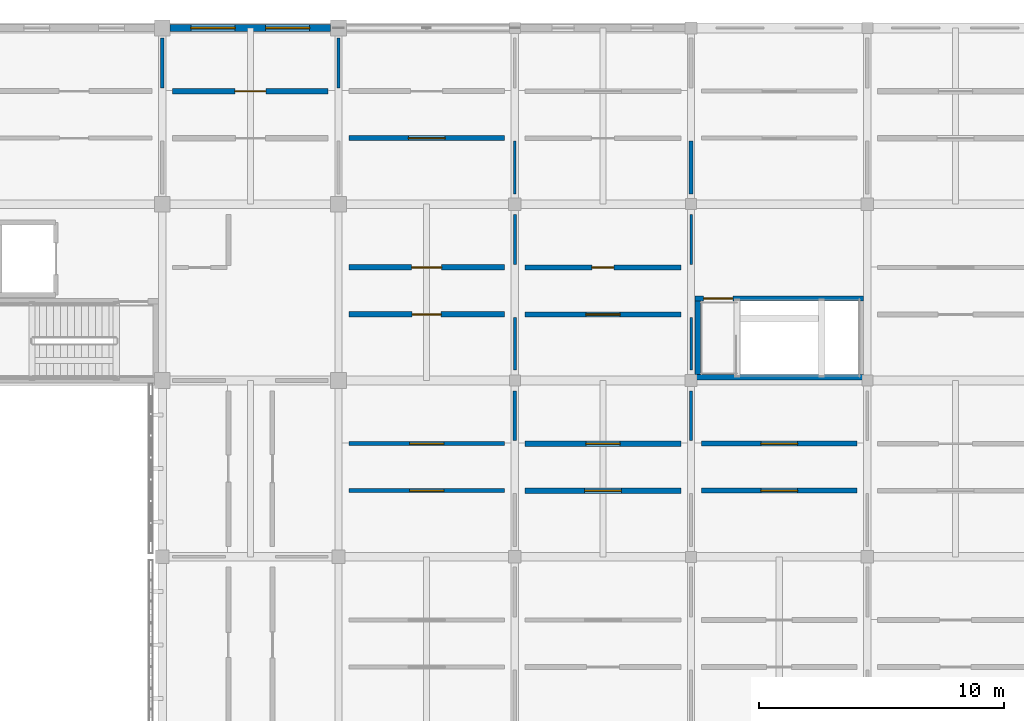
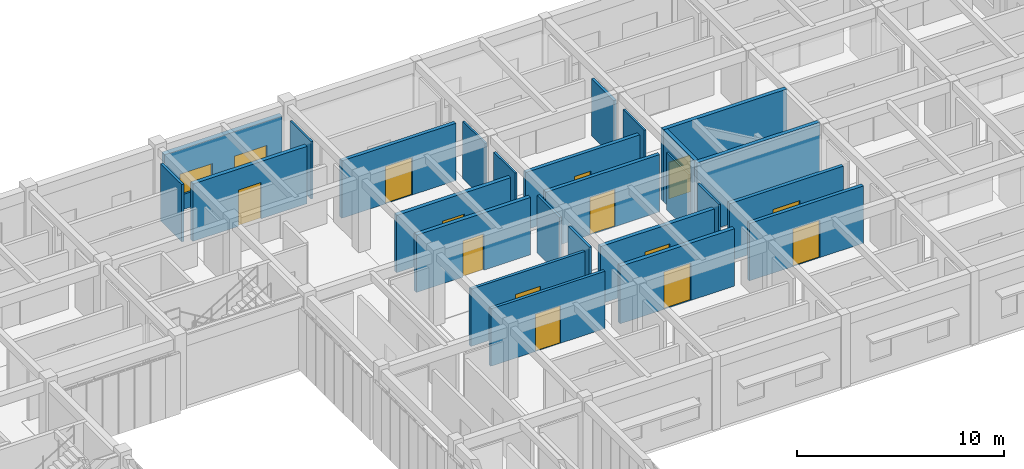
# One storey, part 75 of 91: 26 walls, 13 doors, 2 windows, 15 openings.
"""IFC4 building model written with IfcOpenShell, lengths in metres."""

from ifc_helpers import new_model, si_unit, direction, frame, frame_2d, origin, place, context, subcontext, project, spatial, rectangle, extrude, material, layer, layer_set, type_object, element, fill, save


model = new_model("IFC4")

# Units and contexts
model_context = context("Model", 3, precision=1e-05, world=origin(), true_north=direction((0.0, 1.0)))
body_context = subcontext(model_context, "Body", "Model", "MODEL_VIEW")
ifc_project = project(units=[si_unit("LENGTHUNIT", "METRE"), si_unit("AREAUNIT", "SQUARE_METRE"), si_unit("VOLUMEUNIT", "CUBIC_METRE"), si_unit("PLANEANGLEUNIT", "RADIAN"), si_unit("MASSUNIT", "GRAM", prefix="KILO")], contexts=[model_context])

# Site, building, storey
site_placement = place(None, origin())
site = spatial("IfcSite", under=ifc_project, at=site_placement, CompositionType="ELEMENT")
building_placement = place(site_placement, origin())
building = spatial("IfcBuilding", under=site, at=building_placement, Name="Aldebral Square Health Centre", CompositionType="ELEMENT")
storey_placement = place(building_placement, frame((0.0, 0.0, 9.0)))
storey = spatial("IfcBuildingStorey", under=building, at=storey_placement, Name="L02", CompositionType="ELEMENT", Elevation=9.0)

# Wall, openings, windows
ifc_material_1 = material(Name="Ochre mineral-rendered concrete C35/45 court wall", Category="concrete")
ifc_layer_1 = layer(ifc_material_1, 0.280029296875, Name="Ochre mineral-rendered concrete C35/45 court wall", Category="concrete")
ifc_layer_set_1 = layer_set([ifc_layer_1], Name="Ochre mineral-rendered concrete C35/45 court wall")
wall_type_1 = type_object("IfcWallType", Name="EW-OCH-280", PredefinedType="STANDARD", material=ifc_layer_set_1)
wall_1_placement = place(storey_placement, frame((28.47509765625, 115.199951171875, 0.0), z_axis=(0.0, 0.0, 1.0), x_axis=(-1.0, 0.0, 0.0)))
wall_1 = element("IfcWall", 1, at=wall_1_placement, inside=storey, type_object=wall_type_1, Name="L02 V4 exterior wall L02-V4-03-15-N", PredefinedType="STANDARD", context=body_context, shape_type="SweptSolid", body=[
    extrude(rectangle(XDim=6.550048828125, YDim=0.280029296875, at=frame_2d((3.27490234375, 0.0))), origin(), (0.0, 0.0, 1.0), 3.590087890625),
])
opening_1_placement = place(wall_1_placement, frame((0.85009765625, 0.0, 0.89990234375)))
opening_1 = element("IfcOpeningElement", 2, at=opening_1_placement, cuts=wall_1, Name="Opening W07", PredefinedType="OPENING", context=body_context, shape_type="SweptSolid", body=[
    extrude(rectangle(XDim=1.800048828125, YDim=1.25, at=frame_2d((0.89990234375, 0.625))), frame((0.0, 0.14990234375, 0.0), z_axis=(0.0, -1.0, 0.0), x_axis=(1.0, 0.0, 0.0)), (0.0, 0.0, 1.0), 0.300048828125),
])
opening_2_placement = place(wall_1_placement, frame((3.89990234375, 0.0, 0.89990234375)))
opening_2 = element("IfcOpeningElement", 3, at=opening_2_placement, cuts=wall_1, Name="Opening W07", PredefinedType="OPENING", context=body_context, shape_type="SweptSolid", body=[
    extrude(rectangle(XDim=1.800048828125, YDim=1.25, at=frame_2d((0.89990234375, 0.625))), frame((0.0, 0.14990234375, 0.0), z_axis=(0.0, -1.0, 0.0), x_axis=(1.0, 0.0, 0.0)), (0.0, 0.0, 1.0), 0.300048828125),
])
ifc_material_2 = material(Name="Thermally broken aluminium and low-E glass", Category="aluminium")
window_type = type_object("IfcWindowType", Name="WIN-W07", PartitioningType="SINGLE_PANEL", PredefinedType="WINDOW", material=ifc_material_2)
window_1_placement = place(opening_1_placement, origin())
window_1 = element("IfcWindow", 4, at=window_1_placement, inside=storey, type_object=window_type, Name="L02 clinical window L02-V4-03-15-N.1", OverallHeight=1.25, OverallWidth=1.800048828125, PartitioningType="SINGLE_PANEL", PredefinedType="WINDOW", context=body_context, shape_type="SweptSolid", body=[
    extrude(rectangle(XDim=1.800048828125, YDim=1.25, at=frame_2d((0.89990234375, 0.625))), frame((0.0, 0.030029296875, 0.0), z_axis=(0.0, -1.0, 0.0), x_axis=(1.0, 0.0, 0.0)), (0.0, 0.0, 1.0), 0.06005859375),
])
fill(opening_1, window_1)
window_2_placement = place(opening_2_placement, origin())
window_2 = element("IfcWindow", 5, at=window_2_placement, inside=storey, type_object=window_type, Name="L02 clinical window L02-V4-03-15-N.2", OverallHeight=1.25, OverallWidth=1.800048828125, PartitioningType="SINGLE_PANEL", PredefinedType="WINDOW", context=body_context, shape_type="SweptSolid", body=[
    extrude(rectangle(XDim=1.800048828125, YDim=1.25, at=frame_2d((0.89990234375, 0.625))), frame((0.0, 0.030029296875, 0.0), z_axis=(0.0, -1.0, 0.0), x_axis=(1.0, 0.0, 0.0)), (0.0, 0.0, 1.0), 0.06005859375),
])
fill(opening_2, window_2)

# Wall, opening, door
ifc_material_3 = material(Name="Concrete C35/45 compartment wall", Category="concrete")
ifc_layer_2 = layer(ifc_material_3, 0.199951171875, Name="Concrete C35/45 compartment wall", Category="concrete")
ifc_layer_set_2 = layer_set([ifc_layer_2], Name="Concrete C35/45 compartment wall")
wall_type_2 = type_object("IfcWallType", Name="IW-CMP-200", PredefinedType="SOLIDWALL", material=ifc_layer_set_2)
wall_2_placement = place(storey_placement, frame((29.219970703125, 110.699951171875, 0.0), z_axis=(0.0, 0.0, 1.0), x_axis=(1.0, 0.0, 0.0)))
wall_2 = element("IfcWall", 6, at=wall_2_placement, inside=storey, type_object=wall_type_2, Name="L02 Surgical Scrub and Gowning 5.16S corridor wall", PredefinedType="SOLIDWALL", context=body_context, shape_type="SweptSolid", body=[
    extrude(rectangle(XDim=6.360107421875, YDim=0.199951171875, at=frame_2d((3.18017578125, 0.0))), origin(), (0.0, 0.0, 1.0), 3.3798828125),
])
opening_3_placement = place(wall_2_placement, frame((2.429931640625, 0.0, 0.0)))
opening_3 = element("IfcOpeningElement", 7, at=opening_3_placement, cuts=wall_2, Name="Opening D-0401", PredefinedType="OPENING", context=body_context, shape_type="SweptSolid", body=[
    extrude(rectangle(XDim=1.5, YDim=2.199951171875, at=frame_2d((0.75, 1.10009765625))), frame((0.0, 0.10986328125, 0.0), z_axis=(0.0, -1.0, 0.0), x_axis=(1.0, 0.0, 0.0)), (0.0, 0.0, 1.0), 0.219970703125),
])
ifc_material_4 = material(Name="Surgical suite double-leaf fire door")
door_type_1 = type_object("IfcDoorType", Name="ID-OR-150", OperationType="NOTDEFINED", PredefinedType="DOOR", material=ifc_material_4)
door_1_placement = place(opening_3_placement, origin())
door_1 = element("IfcDoor", 8, at=door_1_placement, inside=storey, type_object=door_type_1, Name="L02 Surgical Scrub and Gowning 5.16S door", OperationType="SINGLE_SWING_RIGHT", OverallHeight=2.199951171875, OverallWidth=1.5, PredefinedType="DOOR", context=body_context, shape_type="SweptSolid", body=[
    extrude(rectangle(XDim=1.5, YDim=2.199951171875, at=frame_2d((0.75, 1.10009765625))), frame((0.0, 0.02490234375, 0.0), z_axis=(0.0, -1.0, 0.0), x_axis=(1.0, 0.0, 0.0)), (0.0, 0.0, 1.0), 0.050048828125),
])
fill(opening_3, door_1)

wall_3_placement = place(storey_placement, frame((36.419921875, 103.5, 0.0), z_axis=(0.0, 0.0, 1.0), x_axis=(1.0, 0.0, 0.0)))
wall_3 = element("IfcWall", 9, at=wall_3_placement, inside=storey, type_object=wall_type_2, Name="L02 Pre-Operative Preparation 6.15S corridor wall", PredefinedType="SOLIDWALL", context=body_context, shape_type="SweptSolid", body=[
    extrude(rectangle(XDim=6.360107421875, YDim=0.199951171875, at=frame_2d((3.18017578125, 0.0))), origin(), (0.0, 0.0, 1.0), 3.3798828125),
])
opening_4_placement = place(wall_3_placement, frame((2.47998046875, 0.0, 0.0)))
opening_4 = element("IfcOpeningElement", 10, at=opening_4_placement, cuts=wall_3, Name="Opening D-0407", PredefinedType="OPENING", context=body_context, shape_type="SweptSolid", body=[
    extrude(rectangle(XDim=1.39990234375, YDim=2.199951171875, at=frame_2d((0.699951171875, 1.10009765625))), frame((0.0, 0.10986328125, 0.0), z_axis=(0.0, -1.0, 0.0), x_axis=(1.0, 0.0, 0.0)), (0.0, 0.0, 1.0), 0.219970703125),
])
ifc_material_5 = material(Name="Surgical recovery fire door")
door_type_2 = type_object("IfcDoorType", Name="ID-OR-140", OperationType="NOTDEFINED", PredefinedType="DOOR", material=ifc_material_5)
door_2_placement = place(opening_4_placement, origin())
door_2 = element("IfcDoor", 11, at=door_2_placement, inside=storey, type_object=door_type_2, Name="L02 Pre-Operative Preparation 6.15S door", OperationType="SINGLE_SWING_RIGHT", OverallHeight=2.199951171875, OverallWidth=1.39990234375, PredefinedType="DOOR", context=body_context, shape_type="SweptSolid", body=[
    extrude(rectangle(XDim=1.39990234375, YDim=2.199951171875, at=frame_2d((0.699951171875, 1.10009765625))), frame((0.0, 0.02490234375, 0.0), z_axis=(0.0, -1.0, 0.0), x_axis=(1.0, 0.0, 0.0)), (0.0, 0.0, 1.0), 0.050048828125),
])
fill(opening_4, door_2)

wall_4_placement = place(storey_placement, frame((36.419921875, 105.419921875, 0.0), z_axis=(0.0, 0.0, 1.0), x_axis=(1.0, 0.0, 0.0)))
wall_4 = element("IfcWall", 12, at=wall_4_placement, inside=storey, type_object=wall_type_2, Name="L02 Central Sterile Supply 6.15N corridor wall", PredefinedType="SOLIDWALL", context=body_context, shape_type="SweptSolid", body=[
    extrude(rectangle(XDim=6.360107421875, YDim=0.199951171875, at=frame_2d((3.18017578125, 0.0))), origin(), (0.0, 0.0, 1.0), 3.3798828125),
])
opening_5_placement = place(wall_4_placement, frame((2.72998046875, 0.0, 0.0)))
opening_5 = element("IfcOpeningElement", 13, at=opening_5_placement, cuts=wall_4, Name="Opening D-0408", PredefinedType="OPENING", context=body_context, shape_type="SweptSolid", body=[
    extrude(rectangle(XDim=0.89990234375, YDim=2.18994140625, at=frame_2d((0.449951171875, 1.094970703125))), frame((0.0, 0.10986328125, 0.0), z_axis=(0.0, -1.0, 0.0), x_axis=(1.0, 0.0, 0.0)), (0.0, 0.0, 1.0), 0.219970703125),
])
ifc_material_6 = material(Name="Clinical suite fire door")
door_type_3 = type_object("IfcDoorType", Name="ID-EXD-48", OperationType="NOTDEFINED", PredefinedType="DOOR", material=ifc_material_6)
door_3_placement = place(opening_5_placement, origin())
door_3 = element("IfcDoor", 14, at=door_3_placement, inside=storey, type_object=door_type_3, Name="L02 Central Sterile Supply 6.15N door", OperationType="SINGLE_SWING_LEFT", OverallHeight=2.18994140625, OverallWidth=0.89990234375, PredefinedType="DOOR", context=body_context, shape_type="SweptSolid", body=[
    extrude(rectangle(XDim=0.89990234375, YDim=2.18994140625, at=frame_2d((0.449951171875, 1.094970703125))), frame((0.0, 0.02490234375, 0.0), z_axis=(0.0, -1.0, 0.0), x_axis=(1.0, 0.0, 0.0)), (0.0, 0.0, 1.0), 0.050048828125),
])
fill(opening_5, door_3)

wall_5_placement = place(storey_placement, frame((43.6201171875, 96.300048828125, 0.0), z_axis=(0.0, 0.0, 1.0), x_axis=(1.0, 0.0, 0.0)))
wall_5 = element("IfcWall", 15, at=wall_5_placement, inside=storey, type_object=wall_type_2, Name="L02 Day Surgery Operating Theatre 7.14S corridor wall", PredefinedType="SOLIDWALL", context=body_context, shape_type="SweptSolid", body=[
    extrude(rectangle(XDim=6.35986328125, YDim=0.199951171875, at=frame_2d((3.179931640625, 0.0))), origin(), (0.0, 0.0, 1.0), 3.3798828125),
])
opening_6_placement = place(wall_5_placement, frame((2.429931640625, 0.0, 0.0)))
opening_6 = element("IfcOpeningElement", 16, at=opening_6_placement, cuts=wall_5, Name="Opening D-0413", PredefinedType="OPENING", context=body_context, shape_type="SweptSolid", body=[
    extrude(rectangle(XDim=1.5, YDim=2.199951171875, at=frame_2d((0.75, 1.10009765625))), frame((0.0, 0.10986328125, 0.0), z_axis=(0.0, -1.0, 0.0), x_axis=(1.0, 0.0, 0.0)), (0.0, 0.0, 1.0), 0.219970703125),
])
door_4_placement = place(opening_6_placement, origin())
door_4 = element("IfcDoor", 17, at=door_4_placement, inside=storey, type_object=door_type_1, Name="L02 Day Surgery Operating Theatre 7.14S door", OperationType="SINGLE_SWING_RIGHT", OverallHeight=2.199951171875, OverallWidth=1.5, PredefinedType="DOOR", context=body_context, shape_type="SweptSolid", body=[
    extrude(rectangle(XDim=1.5, YDim=2.199951171875, at=frame_2d((0.75, 1.10009765625))), frame((0.0, 0.02490234375, 0.0), z_axis=(0.0, -1.0, 0.0), x_axis=(1.0, 0.0, 0.0)), (0.0, 0.0, 1.0), 0.050048828125),
])
fill(opening_6, door_4)

wall_6_placement = place(storey_placement, frame((43.6201171875, 98.219970703125, 0.0), z_axis=(0.0, 0.0, 1.0), x_axis=(1.0, 0.0, 0.0)))
wall_6 = element("IfcWall", 18, at=wall_6_placement, inside=storey, type_object=wall_type_2, Name="L02 Ambulatory Procedure Room 7.14N corridor wall", PredefinedType="SOLIDWALL", context=body_context, shape_type="SweptSolid", body=[
    extrude(rectangle(XDim=6.35986328125, YDim=0.199951171875, at=frame_2d((3.179931640625, 0.0))), origin(), (0.0, 0.0, 1.0), 3.3798828125),
])
opening_7_placement = place(wall_6_placement, frame((2.429931640625, 0.0, 0.0)))
opening_7 = element("IfcOpeningElement", 19, at=opening_7_placement, cuts=wall_6, Name="Opening D-0414", PredefinedType="OPENING", context=body_context, shape_type="SweptSolid", body=[
    extrude(rectangle(XDim=1.5, YDim=2.199951171875, at=frame_2d((0.75, 1.10009765625))), frame((0.0, 0.10986328125, 0.0), z_axis=(0.0, -1.0, 0.0), x_axis=(1.0, 0.0, 0.0)), (0.0, 0.0, 1.0), 0.219970703125),
])
door_5_placement = place(opening_7_placement, origin())
door_5 = element("IfcDoor", 20, at=door_5_placement, inside=storey, type_object=door_type_1, Name="L02 Ambulatory Procedure Room 7.14N door", OperationType="SINGLE_SWING_LEFT", OverallHeight=2.199951171875, OverallWidth=1.5, PredefinedType="DOOR", context=body_context, shape_type="SweptSolid", body=[
    extrude(rectangle(XDim=1.5, YDim=2.199951171875, at=frame_2d((0.75, 1.10009765625))), frame((0.0, 0.02490234375, 0.0), z_axis=(0.0, -1.0, 0.0), x_axis=(1.0, 0.0, 0.0)), (0.0, 0.0, 1.0), 0.050048828125),
])
fill(opening_7, door_5)

ifc_layer_3 = layer(ifc_material_3, 0.219970703125, Name="Concrete C35/45 compartment wall", Category="concrete")
ifc_layer_set_3 = layer_set([ifc_layer_3], Name="Concrete C35/45 compartment wall")
wall_type_3 = type_object("IfcWallType", Name="IW-CMP-220", PredefinedType="SOLIDWALL", material=ifc_layer_set_3)
wall_7_placement = place(storey_placement, frame((29.219970703125, 103.5, 0.0), z_axis=(0.0, 0.0, 1.0), x_axis=(1.0, 0.0, 0.0)))
wall_7 = element("IfcWall", 21, at=wall_7_placement, inside=storey, type_object=wall_type_3, Name="L02 Central Sterile Supply 5.15S corridor wall", PredefinedType="SOLIDWALL", context=body_context, shape_type="SweptSolid", body=[
    extrude(rectangle(XDim=6.360107421875, YDim=0.219970703125, at=frame_2d((3.18017578125, 0.0))), origin(), (0.0, 0.0, 1.0), 3.3798828125),
])
opening_8_placement = place(wall_7_placement, frame((2.590087890625, 0.0, 0.0)))
opening_8 = element("IfcOpeningElement", 22, at=opening_8_placement, cuts=wall_7, Name="Opening D-0399", PredefinedType="OPENING", context=body_context, shape_type="SweptSolid", body=[
    extrude(rectangle(XDim=1.179931640625, YDim=2.139892578125, at=frame_2d((0.58984375, 1.06982421875))), frame((0.0, 0.1201171875, 0.0), z_axis=(0.0, -1.0, 0.0), x_axis=(1.0, 0.0, 0.0)), (0.0, 0.0, 1.0), 0.239990234375),
])
door_type_4 = type_object("IfcDoorType", Name="ID-EXD-39", OperationType="NOTDEFINED", PredefinedType="DOOR", material=ifc_material_6)
door_6_placement = place(opening_8_placement, origin())
door_6 = element("IfcDoor", 23, at=door_6_placement, inside=storey, type_object=door_type_4, Name="L02 Central Sterile Supply 5.15S door", OperationType="SINGLE_SWING_RIGHT", OverallHeight=2.139892578125, OverallWidth=1.179931640625, PredefinedType="DOOR", context=body_context, shape_type="SweptSolid", body=[
    extrude(rectangle(XDim=1.179931640625, YDim=2.139892578125, at=frame_2d((0.58984375, 1.06982421875))), frame((0.0, 0.02490234375, 0.0), z_axis=(0.0, -1.0, 0.0), x_axis=(1.0, 0.0, 0.0)), (0.0, 0.0, 1.0), 0.050048828125),
])
fill(opening_8, door_6)

wall_8_placement = place(storey_placement, frame((29.219970703125, 105.419921875, 0.0), z_axis=(0.0, 0.0, 1.0), x_axis=(1.0, 0.0, 0.0)))
wall_8 = element("IfcWall", 24, at=wall_8_placement, inside=storey, type_object=wall_type_3, Name="L02 Sterile Instrument Store 5.15N corridor wall", PredefinedType="SOLIDWALL", context=body_context, shape_type="SweptSolid", body=[
    extrude(rectangle(XDim=6.360107421875, YDim=0.219970703125, at=frame_2d((3.18017578125, 0.0))), origin(), (0.0, 0.0, 1.0), 3.3798828125),
])
opening_9_placement = place(wall_8_placement, frame((2.570068359375, 0.0, 0.0)))
opening_9 = element("IfcOpeningElement", 25, at=opening_9_placement, cuts=wall_8, Name="Opening D-0400", PredefinedType="OPENING", context=body_context, shape_type="SweptSolid", body=[
    extrude(rectangle(XDim=1.219970703125, YDim=2.139892578125, at=frame_2d((0.60986328125, 1.06982421875))), frame((0.0, 0.1201171875, 0.0), z_axis=(0.0, -1.0, 0.0), x_axis=(1.0, 0.0, 0.0)), (0.0, 0.0, 1.0), 0.239990234375),
])
door_type_5 = type_object("IfcDoorType", Name="ID-EXD-40", OperationType="NOTDEFINED", PredefinedType="DOOR", material=ifc_material_6)
door_7_placement = place(opening_9_placement, origin())
door_7 = element("IfcDoor", 26, at=door_7_placement, inside=storey, type_object=door_type_5, Name="L02 Sterile Instrument Store 5.15N door", OperationType="SINGLE_SWING_LEFT", OverallHeight=2.139892578125, OverallWidth=1.219970703125, PredefinedType="DOOR", context=body_context, shape_type="SweptSolid", body=[
    extrude(rectangle(XDim=1.219970703125, YDim=2.139892578125, at=frame_2d((0.60986328125, 1.06982421875))), frame((0.0, 0.02490234375, 0.0), z_axis=(0.0, -1.0, 0.0), x_axis=(1.0, 0.0, 0.0)), (0.0, 0.0, 1.0), 0.050048828125),
])
fill(opening_9, door_7)

wall_9_placement = place(storey_placement, frame((36.419921875, 96.300048828125, 0.0), z_axis=(0.0, 0.0, 1.0), x_axis=(1.0, 0.0, 0.0)))
wall_9 = element("IfcWall", 27, at=wall_9_placement, inside=storey, type_object=wall_type_3, Name="L02 Ambulatory Procedure Room 6.14S corridor wall", PredefinedType="SOLIDWALL", context=body_context, shape_type="SweptSolid", body=[
    extrude(rectangle(XDim=6.360107421875, YDim=0.219970703125, at=frame_2d((3.18017578125, 0.0))), origin(), (0.0, 0.0, 1.0), 3.3798828125),
])
opening_10_placement = place(wall_9_placement, frame((2.429931640625, 0.0, 0.0)))
opening_10 = element("IfcOpeningElement", 28, at=opening_10_placement, cuts=wall_9, Name="Opening D-0405", PredefinedType="OPENING", context=body_context, shape_type="SweptSolid", body=[
    extrude(rectangle(XDim=1.5, YDim=2.199951171875, at=frame_2d((0.75, 1.10009765625))), frame((0.0, 0.1201171875, 0.0), z_axis=(0.0, -1.0, 0.0), x_axis=(1.0, 0.0, 0.0)), (0.0, 0.0, 1.0), 0.239990234375),
])
door_8_placement = place(opening_10_placement, origin())
door_8 = element("IfcDoor", 29, at=door_8_placement, inside=storey, type_object=door_type_1, Name="L02 Ambulatory Procedure Room 6.14S door", OperationType="SINGLE_SWING_RIGHT", OverallHeight=2.199951171875, OverallWidth=1.5, PredefinedType="DOOR", context=body_context, shape_type="SweptSolid", body=[
    extrude(rectangle(XDim=1.5, YDim=2.199951171875, at=frame_2d((0.75, 1.10009765625))), frame((0.0, 0.02490234375, 0.0), z_axis=(0.0, -1.0, 0.0), x_axis=(1.0, 0.0, 0.0)), (0.0, 0.0, 1.0), 0.050048828125),
])
fill(opening_10, door_8)

wall_10_placement = place(storey_placement, frame((36.419921875, 98.219970703125, 0.0), z_axis=(0.0, 0.0, 1.0), x_axis=(1.0, 0.0, 0.0)))
wall_10 = element("IfcWall", 30, at=wall_10_placement, inside=storey, type_object=wall_type_3, Name="L02 Post-Anaesthesia Recovery Bay 6.14N corridor wall", PredefinedType="SOLIDWALL", context=body_context, shape_type="SweptSolid", body=[
    extrude(rectangle(XDim=6.360107421875, YDim=0.219970703125, at=frame_2d((3.18017578125, 0.0))), origin(), (0.0, 0.0, 1.0), 3.3798828125),
])
opening_11_placement = place(wall_10_placement, frame((2.47998046875, 0.0, 0.0)))
opening_11 = element("IfcOpeningElement", 31, at=opening_11_placement, cuts=wall_10, Name="Opening D-0406", PredefinedType="OPENING", context=body_context, shape_type="SweptSolid", body=[
    extrude(rectangle(XDim=1.39990234375, YDim=2.199951171875, at=frame_2d((0.699951171875, 1.10009765625))), frame((0.0, 0.1201171875, 0.0), z_axis=(0.0, -1.0, 0.0), x_axis=(1.0, 0.0, 0.0)), (0.0, 0.0, 1.0), 0.239990234375),
])
door_9_placement = place(opening_11_placement, origin())
door_9 = element("IfcDoor", 32, at=door_9_placement, inside=storey, type_object=door_type_2, Name="L02 Post-Anaesthesia Recovery Bay 6.14N door", OperationType="SINGLE_SWING_LEFT", OverallHeight=2.199951171875, OverallWidth=1.39990234375, PredefinedType="DOOR", context=body_context, shape_type="SweptSolid", body=[
    extrude(rectangle(XDim=1.39990234375, YDim=2.199951171875, at=frame_2d((0.699951171875, 1.10009765625))), frame((0.0, 0.02490234375, 0.0), z_axis=(0.0, -1.0, 0.0), x_axis=(1.0, 0.0, 0.0)), (0.0, 0.0, 1.0), 0.050048828125),
])
fill(opening_11, door_9)

wall_11_placement = place(storey_placement, frame((22.02001953125, 112.6201171875, 0.0), z_axis=(0.0, 0.0, 1.0), x_axis=(1.0, 0.0, 0.0)))
wall_11 = element("IfcWall", 33, at=wall_11_placement, inside=storey, type_object=wall_type_3, Name="L02 General Consulting Room 4.16N corridor wall", PredefinedType="SOLIDWALL", context=body_context, shape_type="SweptSolid", body=[
    extrude(rectangle(XDim=6.35986328125, YDim=0.219970703125, at=frame_2d((3.179931640625, 0.0))), origin(), (0.0, 0.0, 1.0), 3.3798828125),
])
opening_12_placement = place(wall_11_placement, frame((2.550048828125, 0.0, 0.0)))
opening_12 = element("IfcOpeningElement", 34, at=opening_12_placement, cuts=wall_11, Name="Opening D-0470", PredefinedType="OPENING", context=body_context, shape_type="SweptSolid", body=[
    extrude(rectangle(XDim=1.260009765625, YDim=2.139892578125, at=frame_2d((0.6298828125, 1.06982421875))), frame((0.0, 0.1201171875, 0.0), z_axis=(0.0, -1.0, 0.0), x_axis=(1.0, 0.0, 0.0)), (0.0, 0.0, 1.0), 0.239990234375),
])
door_type_6 = type_object("IfcDoorType", Name="ID-EXD-41", OperationType="NOTDEFINED", PredefinedType="DOOR", material=ifc_material_6)
door_10_placement = place(opening_12_placement, origin())
door_10 = element("IfcDoor", 35, at=door_10_placement, inside=storey, type_object=door_type_6, Name="L02 General Consulting Room 4.16N door", OperationType="SINGLE_SWING_LEFT", OverallHeight=2.139892578125, OverallWidth=1.260009765625, PredefinedType="DOOR", context=body_context, shape_type="SweptSolid", body=[
    extrude(rectangle(XDim=1.260009765625, YDim=2.139892578125, at=frame_2d((0.6298828125, 1.06982421875))), frame((0.0, 0.02490234375, 0.0), z_axis=(0.0, -1.0, 0.0), x_axis=(1.0, 0.0, 0.0)), (0.0, 0.0, 1.0), 0.050048828125),
])
fill(opening_12, door_10)

ifc_material_7 = material(Name="Fire-rated acoustic gypsum partition")
ifc_layer_4 = layer(ifc_material_7, 0.1650390625, Name="Fire-rated acoustic gypsum partition")
ifc_layer_set_4 = layer_set([ifc_layer_4], Name="Fire-rated acoustic gypsum partition")
wall_type_4 = type_object("IfcWallType", Name="IW-COR-165", PredefinedType="PARTITIONING", material=ifc_layer_set_4)
wall_12_placement = place(storey_placement, frame((29.219970703125, 96.300048828125, 0.0), z_axis=(0.0, 0.0, 1.0), x_axis=(1.0, 0.0, 0.0)))
wall_12 = element("IfcWall", 36, at=wall_12_placement, inside=storey, type_object=wall_type_4, Name="L02 Post-Anaesthesia Recovery Bay 5.14S corridor wall", PredefinedType="PARTITIONING", context=body_context, shape_type="SweptSolid", body=[
    extrude(rectangle(XDim=6.360107421875, YDim=0.1650390625, at=frame_2d((3.18017578125, 0.0))), origin(), (0.0, 0.0, 1.0), 3.3798828125),
])
opening_13_placement = place(wall_12_placement, frame((2.47998046875, 0.0, 0.0)))
opening_13 = element("IfcOpeningElement", 37, at=opening_13_placement, cuts=wall_12, Name="Opening D-0397", PredefinedType="OPENING", context=body_context, shape_type="SweptSolid", body=[
    extrude(rectangle(XDim=1.39990234375, YDim=2.199951171875, at=frame_2d((0.699951171875, 1.10009765625))), frame((0.0, 0.092529296875, 0.0), z_axis=(0.0, -1.0, 0.0), x_axis=(1.0, 0.0, 0.0)), (0.0, 0.0, 1.0), 0.18505859375),
])
door_11_placement = place(opening_13_placement, origin())
door_11 = element("IfcDoor", 38, at=door_11_placement, inside=storey, type_object=door_type_2, Name="L02 Post-Anaesthesia Recovery Bay 5.14S door", OperationType="SINGLE_SWING_RIGHT", OverallHeight=2.199951171875, OverallWidth=1.39990234375, PredefinedType="DOOR", context=body_context, shape_type="SweptSolid", body=[
    extrude(rectangle(XDim=1.39990234375, YDim=2.199951171875, at=frame_2d((0.699951171875, 1.10009765625))), frame((0.0, 0.02490234375, 0.0), z_axis=(0.0, -1.0, 0.0), x_axis=(1.0, 0.0, 0.0)), (0.0, 0.0, 1.0), 0.050048828125),
])
fill(opening_13, door_11)

wall_13_placement = place(storey_placement, frame((29.219970703125, 98.219970703125, 0.0), z_axis=(0.0, 0.0, 1.0), x_axis=(1.0, 0.0, 0.0)))
wall_13 = element("IfcWall", 39, at=wall_13_placement, inside=storey, type_object=wall_type_4, Name="L02 Pre-Operative Preparation 5.14N corridor wall", PredefinedType="PARTITIONING", context=body_context, shape_type="SweptSolid", body=[
    extrude(rectangle(XDim=6.360107421875, YDim=0.1650390625, at=frame_2d((3.18017578125, 0.0))), origin(), (0.0, 0.0, 1.0), 3.3798828125),
])
opening_14_placement = place(wall_13_placement, frame((2.47998046875, 0.0, 0.0)))
opening_14 = element("IfcOpeningElement", 40, at=opening_14_placement, cuts=wall_13, Name="Opening D-0398", PredefinedType="OPENING", context=body_context, shape_type="SweptSolid", body=[
    extrude(rectangle(XDim=1.39990234375, YDim=2.199951171875, at=frame_2d((0.699951171875, 1.10009765625))), frame((0.0, 0.092529296875, 0.0), z_axis=(0.0, -1.0, 0.0), x_axis=(1.0, 0.0, 0.0)), (0.0, 0.0, 1.0), 0.18505859375),
])
door_12_placement = place(opening_14_placement, origin())
door_12 = element("IfcDoor", 41, at=door_12_placement, inside=storey, type_object=door_type_2, Name="L02 Pre-Operative Preparation 5.14N door", OperationType="SINGLE_SWING_LEFT", OverallHeight=2.199951171875, OverallWidth=1.39990234375, PredefinedType="DOOR", context=body_context, shape_type="SweptSolid", body=[
    extrude(rectangle(XDim=1.39990234375, YDim=2.199951171875, at=frame_2d((0.699951171875, 1.10009765625))), frame((0.0, 0.02490234375, 0.0), z_axis=(0.0, -1.0, 0.0), x_axis=(1.0, 0.0, 0.0)), (0.0, 0.0, 1.0), 0.050048828125),
])
fill(opening_14, door_12)

# Wall
ifc_material_8 = material(Name="Concrete C40/50", Category="concrete")
ifc_layer_5 = layer(ifc_material_8, 0.219970703125, Name="Concrete C40/50", Category="concrete")
ifc_layer_set_5 = layer_set([ifc_layer_5], Name="Concrete C40/50")
wall_type_5 = type_object("IfcWallType", Name="IW-CORE-280", PredefinedType="SHEAR", material=ifc_layer_set_5)
wall_14_placement = place(storey_placement, frame((43.360107421875, 100.929931640625, 0.0), z_axis=(0.0, 0.0, 1.0), x_axis=(1.0, 0.0, 0.0)))
element("IfcWall", 42, at=wall_14_placement, inside=storey, type_object=wall_type_5, Name="L02 WS-S6 shaft wall S", PredefinedType="SHEAR", context=body_context, shape_type="SweptSolid", body=[
    extrude(rectangle(XDim=6.8798828125, YDim=0.219970703125, at=frame_2d((3.43994140625, 0.0))), origin(), (0.0, 0.0, 1.0), 4.239990234375),
])

# Wall, opening, door
wall_15_placement = place(storey_placement, frame((43.360107421875, 104.14990234375, 0.0), z_axis=(0.0, 0.0, 1.0), x_axis=(1.0, 0.0, 0.0)))
wall_15 = element("IfcWall", 43, at=wall_15_placement, inside=storey, type_object=wall_type_5, Name="L02 WS-S6 shaft wall N", PredefinedType="SHEAR", context=body_context, shape_type="SweptSolid", body=[
    extrude(rectangle(XDim=6.8798828125, YDim=0.219970703125, at=frame_2d((3.43994140625, 0.0))), origin(), (0.0, 0.0, 1.0), 4.239990234375),
])
opening_15_placement = place(wall_15_placement, frame((0.35009765625, 0.0, 0.0)))
opening_15 = element("IfcOpeningElement", 44, at=opening_15_placement, cuts=wall_15, Name="Opening D-0067", PredefinedType="OPENING", context=body_context, shape_type="SweptSolid", body=[
    extrude(rectangle(XDim=1.199951171875, YDim=2.14990234375, at=frame_2d((0.60009765625, 1.074951171875))), frame((0.0, 0.1201171875, 0.0), z_axis=(0.0, -1.0, 0.0), x_axis=(1.0, 0.0, 0.0)), (0.0, 0.0, 1.0), 0.239990234375),
])
ifc_material_9 = material(Name="Fire-rated steel stair door", Category="steel")
door_type_7 = type_object("IfcDoorType", Name="ID-ST-120", OperationType="NOTDEFINED", PredefinedType="DOOR", material=ifc_material_9)
door_13_placement = place(opening_15_placement, origin())
door_13 = element("IfcDoor", 45, at=door_13_placement, inside=storey, type_object=door_type_7, Name="L02 ST-06 fire door", OperationType="SINGLE_SWING_LEFT", OverallHeight=2.14990234375, OverallWidth=1.199951171875, PredefinedType="DOOR", context=body_context, shape_type="SweptSolid", body=[
    extrude(rectangle(XDim=1.199951171875, YDim=2.14990234375, at=frame_2d((0.60009765625, 1.074951171875))), frame((0.0, 0.02490234375, 0.0), z_axis=(0.0, -1.0, 0.0), x_axis=(1.0, 0.0, 0.0)), (0.0, 0.0, 1.0), 0.050048828125),
])
fill(opening_15, door_13)

# Walls
wall_16_placement = place(storey_placement, frame((43.469970703125, 101.0400390625, 0.0), z_axis=(0.0, 0.0, 1.0), x_axis=(0.0, 1.0, 0.0)))
element("IfcWall", 46, at=wall_16_placement, inside=storey, type_object=wall_type_5, Name="L02 WS-S6 shaft wall W", PredefinedType="SHEAR", context=body_context, shape_type="SweptSolid", body=[
    extrude(rectangle(XDim=3.0, YDim=0.219970703125, at=frame_2d((1.5, 0.0))), origin(), (0.0, 0.0, 1.0), 4.239990234375),
])
ifc_material_10 = material(Name="Lightweight clinical partition")
ifc_layer_6 = layer(ifc_material_10, 0.10498046875, Name="Lightweight clinical partition")
ifc_layer_set_6 = layer_set([ifc_layer_6], Name="Lightweight clinical partition")
wall_type_6 = type_object("IfcWallType", Name="IW-PRT-105", PredefinedType="PARTITIONING", material=ifc_layer_set_6)
wall_17_placement = place(storey_placement, frame((36.0, 108.419921875, 0.0), z_axis=(0.0, 0.0, 1.0), x_axis=(0.0, 1.0, 0.0)))
element("IfcWall", 47, at=wall_17_placement, inside=storey, type_object=wall_type_6, Name="L02 Surgical Scrub and Gowning 5.16S demising partition", PredefinedType="PARTITIONING", context=body_context, shape_type="SweptSolid", body=[
    extrude(rectangle(XDim=2.16015625, YDim=0.10498046875, at=frame_2d((1.080078125, 0.0))), origin(), (0.0, 0.0, 1.0), 3.3798828125),
])
wall_18_placement = place(storey_placement, frame((43.199951171875, 101.219970703125, 0.0), z_axis=(0.0, 0.0, 1.0), x_axis=(0.0, 1.0, 0.0)))
element("IfcWall", 48, at=wall_18_placement, inside=storey, type_object=wall_type_6, Name="L02 Pre-Operative Preparation 6.15S demising partition", PredefinedType="PARTITIONING", context=body_context, shape_type="SweptSolid", body=[
    extrude(rectangle(XDim=2.159912109375, YDim=0.10498046875, at=frame_2d((1.080078125, 0.0))), origin(), (0.0, 0.0, 1.0), 3.3798828125),
])
wall_19_placement = place(storey_placement, frame((43.199951171875, 105.5400390625, 0.0), z_axis=(0.0, 0.0, 1.0), x_axis=(0.0, 1.0, 0.0)))
element("IfcWall", 49, at=wall_19_placement, inside=storey, type_object=wall_type_6, Name="L02 Central Sterile Supply 6.15N demising partition", PredefinedType="PARTITIONING", context=body_context, shape_type="SweptSolid", body=[
    extrude(rectangle(XDim=2.0400390625, YDim=0.10498046875, at=frame_2d((1.02001953125, 0.0))), origin(), (0.0, 0.0, 1.0), 3.3798828125),
])
ifc_material_11 = material(Name="Acoustic clinical gypsum partition")
ifc_layer_7 = layer(ifc_material_11, 0.1201171875, Name="Acoustic clinical gypsum partition")
ifc_layer_set_7 = layer_set([ifc_layer_7], Name="Acoustic clinical gypsum partition")
wall_type_7 = type_object("IfcWallType", Name="IW-PRT-120", PredefinedType="PARTITIONING", material=ifc_layer_set_7)
wall_20_placement = place(storey_placement, frame((36.0, 101.219970703125, 0.0), z_axis=(0.0, 0.0, 1.0), x_axis=(0.0, 1.0, 0.0)))
element("IfcWall", 50, at=wall_20_placement, inside=storey, type_object=wall_type_7, Name="L02 Central Sterile Supply 5.15S demising partition", PredefinedType="PARTITIONING", context=body_context, shape_type="SweptSolid", body=[
    extrude(rectangle(XDim=2.159912109375, YDim=0.1201171875, at=frame_2d((1.080078125, 0.0))), origin(), (0.0, 0.0, 1.0), 3.3798828125),
])
wall_21_placement = place(storey_placement, frame((36.0, 105.5400390625, 0.0), z_axis=(0.0, 0.0, 1.0), x_axis=(0.0, 1.0, 0.0)))
element("IfcWall", 51, at=wall_21_placement, inside=storey, type_object=wall_type_7, Name="L02 Sterile Instrument Store 5.15N demising partition", PredefinedType="PARTITIONING", context=body_context, shape_type="SweptSolid", body=[
    extrude(rectangle(XDim=2.0400390625, YDim=0.1201171875, at=frame_2d((1.02001953125, 0.0))), origin(), (0.0, 0.0, 1.0), 3.3798828125),
])
wall_22_placement = place(storey_placement, frame((43.199951171875, 98.340087890625, 0.0), z_axis=(0.0, 0.0, 1.0), x_axis=(0.0, 1.0, 0.0)))
element("IfcWall", 52, at=wall_22_placement, inside=storey, type_object=wall_type_7, Name="L02 Post-Anaesthesia Recovery Bay 6.14N demising partition", PredefinedType="PARTITIONING", context=body_context, shape_type="SweptSolid", body=[
    extrude(rectangle(XDim=2.039794921875, YDim=0.1201171875, at=frame_2d((1.02001953125, 0.0))), origin(), (0.0, 0.0, 1.0), 3.3798828125),
])
wall_23_placement = place(storey_placement, frame((28.800048828125, 112.739990234375, 0.0), z_axis=(0.0, 0.0, 1.0), x_axis=(0.0, 1.0, 0.0)))
element("IfcWall", 53, at=wall_23_placement, inside=storey, type_object=wall_type_7, Name="L02 General Consulting Room 4.16N demising partition", PredefinedType="PARTITIONING", context=body_context, shape_type="SweptSolid", body=[
    extrude(rectangle(XDim=2.0400390625, YDim=0.1201171875, at=frame_2d((1.02001953125, 0.0))), origin(), (0.0, 0.0, 1.0), 3.3798828125),
])
ifc_layer_8 = layer(ifc_material_11, 0.135009765625, Name="Acoustic clinical gypsum partition")
ifc_layer_set_8 = layer_set([ifc_layer_8], Name="Acoustic clinical gypsum partition")
wall_type_8 = type_object("IfcWallType", Name="IW-PRT-135", PredefinedType="PARTITIONING", material=ifc_layer_set_8)
wall_24_placement = place(storey_placement, frame((36.0, 98.340087890625, 0.0), z_axis=(0.0, 0.0, 1.0), x_axis=(0.0, 1.0, 0.0)))
element("IfcWall", 54, at=wall_24_placement, inside=storey, type_object=wall_type_8, Name="L02 Pre-Operative Preparation 5.14N demising partition", PredefinedType="PARTITIONING", context=body_context, shape_type="SweptSolid", body=[
    extrude(rectangle(XDim=2.039794921875, YDim=0.135009765625, at=frame_2d((1.02001953125, 0.0))), origin(), (0.0, 0.0, 1.0), 3.3798828125),
])
wall_25_placement = place(storey_placement, frame((21.60009765625, 112.739990234375, 0.0), z_axis=(0.0, 0.0, 1.0), x_axis=(0.0, 1.0, 0.0)))
element("IfcWall", 55, at=wall_25_placement, inside=storey, type_object=wall_type_8, Name="L02 Accessible WC 3.16N demising partition", PredefinedType="PARTITIONING", context=body_context, shape_type="SweptSolid", body=[
    extrude(rectangle(XDim=2.0400390625, YDim=0.135009765625, at=frame_2d((1.02001953125, 0.0))), origin(), (0.0, 0.0, 1.0), 3.3798828125),
])
ifc_layer_9 = layer(ifc_material_11, 0.14990234375, Name="Acoustic clinical gypsum partition")
ifc_layer_set_9 = layer_set([ifc_layer_9], Name="Acoustic clinical gypsum partition")
wall_type_9 = type_object("IfcWallType", Name="IW-PRT-150", PredefinedType="PARTITIONING", material=ifc_layer_set_9)
wall_26_placement = place(storey_placement, frame((43.199951171875, 108.419921875, 0.0), z_axis=(0.0, 0.0, 1.0), x_axis=(0.0, 1.0, 0.0)))
element("IfcWall", 56, at=wall_26_placement, inside=storey, type_object=wall_type_9, Name="L02 Sterile Instrument Store 6.16S demising partition", PredefinedType="PARTITIONING", context=body_context, shape_type="SweptSolid", body=[
    extrude(rectangle(XDim=2.16015625, YDim=0.14990234375, at=frame_2d((1.080078125, 0.0))), origin(), (0.0, 0.0, 1.0), 3.3798828125),
])

save(model, "model.ifc")
